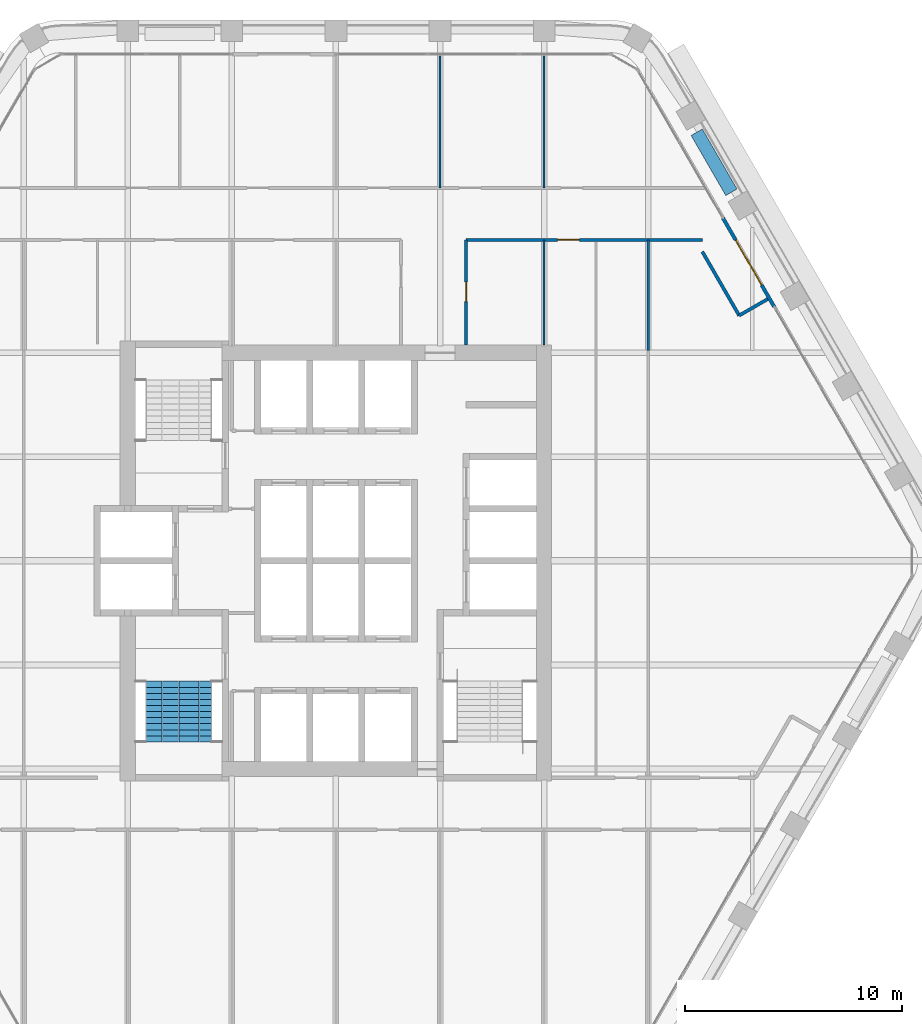
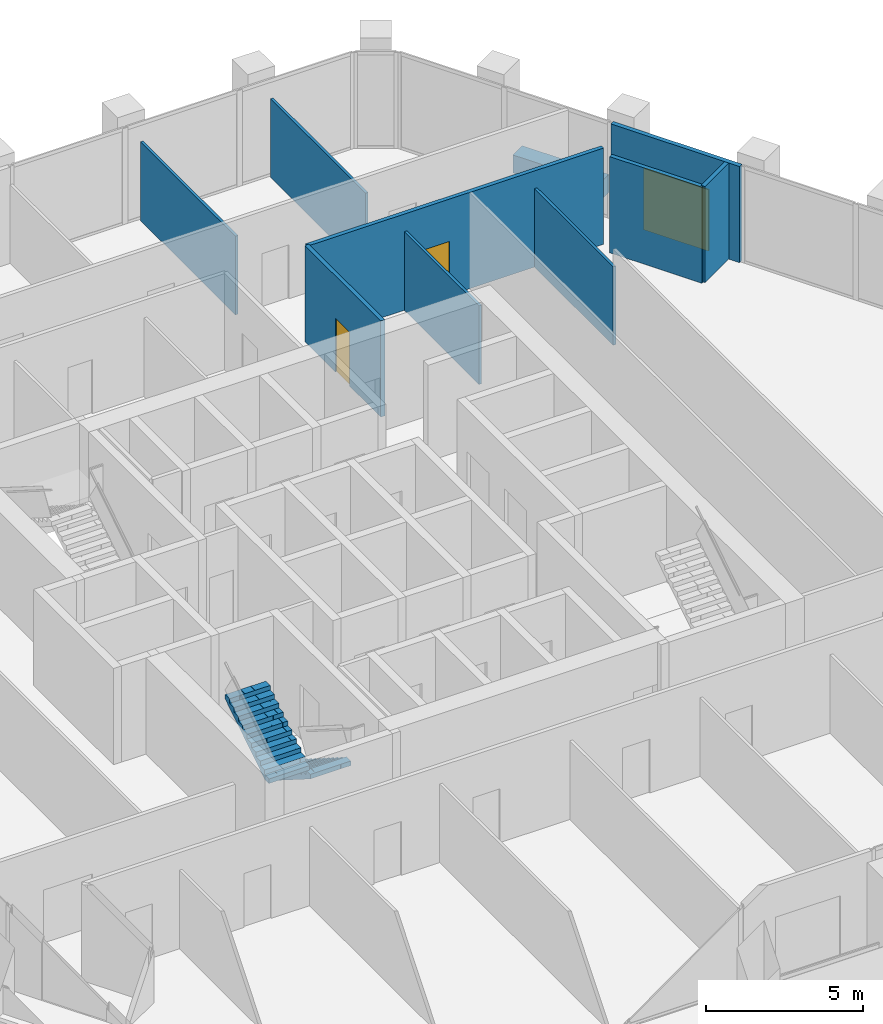
# One storey, part 12 of 15: 10 walls, 3 doors, 2 stair flights, 3 openings, 1 element without a shape of its own.
"""IFC4 building model written with IfcOpenShell, lengths in metres."""

from ifc_helpers import new_model, si_unit, direction, frame, frame_2d, origin, place, context, subcontext, project, spatial, polyline, rectangle, outline, extrude, material, layer, layer_set, type_object, element, fill, aggregate, save


model = new_model("IFC4")

# Units and contexts
model_context = context("Model", 3, precision=1e-05, world=origin(), true_north=direction((0.0, 1.0)))
body_context = subcontext(model_context, "Body", "Model", "MODEL_VIEW")
ifc_project = project(units=[si_unit("LENGTHUNIT", "METRE"), si_unit("AREAUNIT", "SQUARE_METRE"), si_unit("VOLUMEUNIT", "CUBIC_METRE"), si_unit("PLANEANGLEUNIT", "RADIAN"), si_unit("MASSUNIT", "GRAM", prefix="KILO")], contexts=[model_context])

# Site, building, storey
site_placement = place(None, origin())
site = spatial("IfcSite", under=ifc_project, at=site_placement, CompositionType="ELEMENT")
building_placement = place(site_placement, origin())
building = spatial("IfcBuilding", under=site, at=building_placement, Name="Kolab Exchange Tower", CompositionType="ELEMENT")
storey_placement = place(building_placement, frame((0.0, 0.0, 189.5)))
storey = spatial("IfcBuildingStorey", under=building, at=storey_placement, Name="L40", CompositionType="ELEMENT", Elevation=189.5)

# Wall, opening, door
ifc_material_1 = material(Name="Aluminium EN AW-6063 T6", Category="aluminium")
ifc_layer_1 = layer(ifc_material_1, 0.159912109375)
ifc_layer_set_1 = layer_set([ifc_layer_1], Name="Aluminium EN AW-6063 T6")
wall_type_1 = type_object("IfcWallType", Name="DOOR SURROUND WALL 160 ALUMINIUM FRAMED", PredefinedType="PARTITIONING", material=ifc_layer_set_1)
wall_1_placement = place(storey_placement, frame((17.8466796875, 15.811767578125, 0.0), z_axis=(0.0, 0.0, 1.0), x_axis=(0.5000167099, -0.866015756104, 0.0)))
wall_1 = element("IfcWall", 1, at=wall_1_placement, inside=storey, type_object=wall_type_1, Name="Door surround wall", PredefinedType="PARTITIONING", context=body_context, shape_type="SweptSolid", body=[
    extrude(rectangle(XDim=4.739990234375, YDim=0.159912109375, at=frame_2d((2.3701171875, 0.0))), origin(), (0.0, 0.0, 1.0), 3.75),
])
opening_1_placement = place(wall_1_placement, frame((1.169921875, 0.0, 0.0)))
opening_1 = element("IfcOpeningElement", 2, at=opening_1_placement, cuts=wall_1, Name="Opening GD1-065", PredefinedType="OPENING", context=body_context, shape_type="SweptSolid", body=[
    extrude(rectangle(XDim=2.39990234375, YDim=2.39990234375, at=frame_2d((1.199951171875, 1.199951171875))), frame((0.0, 0.08984375, 0.0), z_axis=(0.0, -1.0, 0.0), x_axis=(1.0, 0.0, 0.0)), (0.0, 0.0, 1.0), 0.179931640625),
])
door_type_1 = type_object("IfcDoorType", Name="LOGGIA SLIDING GLASS DOOR 2400 X 2400", OperationType="DOUBLE_DOOR_SINGLE_SWING", PredefinedType="DOOR", material=ifc_material_1)
door_1_placement = place(opening_1_placement, origin())
door_1 = element("IfcDoor", 3, at=door_1_placement, inside=storey, type_object=door_type_1, Name="Loggia door", OperationType="DOUBLE_DOOR_SLIDING", OverallHeight=2.39990234375, OverallWidth=2.39990234375, PredefinedType="DOOR", context=body_context, shape_type="SweptSolid", body=[
    extrude(rectangle(XDim=2.39990234375, YDim=2.39990234375, at=frame_2d((1.199951171875, 1.199951171875))), frame((0.0, 0.02490234375, 0.0), z_axis=(0.0, -1.0, 0.0), x_axis=(1.0, 0.0, 0.0)), (0.0, 0.0, 1.0), 0.050048828125),
])
fill(opening_1, door_1)

# Walls
ifc_material_2 = material(Name="Gypsum board", Category="gypsum")
ifc_layer_2 = layer(ifc_material_2, 0.10009765625)
ifc_layer_set_2 = layer_set([ifc_layer_2], Name="Gypsum board")
wall_type_2 = type_object("IfcWallType", Name="PARTITION 100", PredefinedType="PARTITIONING", material=ifc_layer_set_2)
wall_2_placement = place(storey_placement, frame((14.39990234375, 9.693603515625, 0.0), z_axis=(0.0, 0.0, 1.0), x_axis=(0.0, 1.0, 0.0)))
element("IfcWall", 4, at=wall_2_placement, inside=storey, type_object=wall_type_2, Name="Partition 001", PredefinedType="PARTITIONING", context=body_context, shape_type="SweptSolid", body=[
    extrude(rectangle(XDim=5.1064453125, YDim=0.10009765625, at=frame_2d((2.55322265625, 0.0))), origin(), (0.0, 0.0, 1.0), 3.06591796875),
])
wall_3_placement = place(storey_placement, frame((9.60009765625, 9.949951171875, 0.0), z_axis=(0.0, 0.0, 1.0), x_axis=(0.0, 1.0, 0.0)))
element("IfcWall", 5, at=wall_3_placement, inside=storey, type_object=wall_type_2, Name="Partition 004", PredefinedType="PARTITIONING", context=body_context, shape_type="SweptSolid", body=[
    extrude(rectangle(XDim=4.85009765625, YDim=0.10009765625, at=frame_2d((2.425048828125, 0.0))), origin(), (0.0, 0.0, 1.0), 3.06591796875),
])
for number, where, z_axis, x_axis, name in (
    (6, (9.60009765625, 17.199951171875, 0.0), (0.0, 0.0, 1.0), (0.0, 1.0, 0.0), "Partition 005"),
    (7, (4.800048828125, 17.199951171875, 0.0), (0.0, 0.0, 1.0), (0.0, 1.0, 0.0), "Partition 008"),
):
    element("IfcWall", number, at=place(storey_placement, frame(where, z_axis=z_axis, x_axis=x_axis)), inside=storey, type_object=wall_type_2, Name=name, PredefinedType="PARTITIONING", context=body_context, shape_type="SweptSolid", body=[
        extrude(rectangle(XDim=6.071533203125, YDim=0.10009765625, at=frame_2d((3.03564453125, 0.0))), origin(), (0.0, 0.0, 1.0), 3.06591796875),
    ])

# Wall, opening, door
ifc_layer_3 = layer(ifc_material_2, 0.14990234375)
ifc_layer_set_3 = layer_set([ifc_layer_3], Name="Gypsum board")
wall_type_3 = type_object("IfcWallType", Name="PARTITION 150 FIRE-RATED", PredefinedType="PARTITIONING", material=ifc_layer_set_3)
wall_4_placement = place(storey_placement, frame((6.0, 9.949951171875, 0.0), z_axis=(0.0, 0.0, 1.0), x_axis=(0.0, 1.0, 0.0)))
wall_4 = element("IfcWall", 8, at=wall_4_placement, inside=storey, type_object=wall_type_3, Name="Partition 006", PredefinedType="PARTITIONING", context=body_context, shape_type="SweptSolid", body=[
    extrude(rectangle(XDim=4.85009765625, YDim=0.14990234375, at=frame_2d((2.425048828125, 0.0))), origin(), (0.0, 0.0, 1.0), 3.75),
])
opening_2_placement = place(wall_4_placement, frame((2.0, 0.0, 0.0)))
opening_2 = element("IfcOpeningElement", 9, at=opening_2_placement, cuts=wall_4, Name="Opening D3-054", PredefinedType="OPENING", context=body_context, shape_type="SweptSolid", body=[
    extrude(rectangle(XDim=0.89990234375, YDim=2.10009765625, at=frame_2d((0.449951171875, 1.050048828125))), frame((0.0, 0.0849609375, 0.0), z_axis=(0.0, -1.0, 0.0), x_axis=(1.0, 0.0, 0.0)), (0.0, 0.0, 1.0), 0.169921875),
])
ifc_material_3 = material(Name="Steel S235", Category="steel")
door_type_2 = type_object("IfcDoorType", Name="FLUSH DOOR 900 FD60", OperationType="SINGLE_SWING_LEFT", PredefinedType="DOOR", material=ifc_material_3)
door_2_placement = place(opening_2_placement, frame((0.89990234375, 0.0, 0.0), z_axis=(0.0, 0.0, 1.0), x_axis=(-1.0, 0.0, 0.0)))
door_2 = element("IfcDoor", 10, at=door_2_placement, inside=storey, type_object=door_type_2, Name="Door L40-030", OperationType="SINGLE_SWING_LEFT", OverallHeight=2.10009765625, OverallWidth=0.89990234375, PredefinedType="DOOR", context=body_context, shape_type="SweptSolid", body=[
    extrude(rectangle(XDim=0.89990234375, YDim=2.10009765625, at=frame_2d((0.449951171875, 1.050048828125))), frame((0.0, 0.02490234375, 0.0), z_axis=(0.0, -1.0, 0.0), x_axis=(1.0, 0.0, 0.0)), (0.0, 0.0, 1.0), 0.050048828125),
])
fill(opening_2, door_2)

# Walls
wall_5_placement = place(storey_placement, frame((16.89599609375, 14.25830078125, 0.0), z_axis=(0.0, 0.0, 1.0), x_axis=(0.499977295307, -0.866038511948, 0.0)))
element("IfcWall", 11, at=wall_5_placement, inside=storey, type_object=wall_type_3, Name="Partition 024", PredefinedType="PARTITIONING", context=body_context, shape_type="SweptSolid", body=[
    extrude(rectangle(XDim=3.400146484375, YDim=0.14990234375, at=frame_2d((1.7001953125, 0.0))), origin(), (0.0, 0.0, 1.0), 3.75),
])
wall_6_placement = place(storey_placement, frame((18.595947265625, 11.313720703125, 0.0), z_axis=(0.0, 0.0, 1.0), x_axis=(0.866030456496, 0.499991248344, 0.0)))
element("IfcWall", 12, at=wall_6_placement, inside=storey, type_object=wall_type_3, Name="Partition 028", PredefinedType="PARTITIONING", context=body_context, shape_type="SweptSolid", body=[
    extrude(rectangle(XDim=1.52001953125, YDim=0.14990234375, at=frame_2d((0.760009765625, 0.0))), origin(), (0.0, 0.0, 1.0), 3.75),
])

# Wall, opening, door
wall_7_placement = place(storey_placement, frame((6.0, 14.800048828125, 0.0), z_axis=(0.0, 0.0, 1.0), x_axis=(1.0, 0.0, 0.0)))
wall_7 = element("IfcWall", 13, at=wall_7_placement, inside=storey, type_object=wall_type_3, Name="Partition 035", PredefinedType="PARTITIONING", context=body_context, shape_type="SweptSolid", body=[
    extrude(rectangle(XDim=10.9052734375, YDim=0.14990234375, at=frame_2d((5.45263671875, 0.0))), origin(), (0.0, 0.0, 1.0), 3.75),
])
opening_3_placement = place(wall_7_placement, frame((4.22509765625, 0.0, 0.0)))
opening_3 = element("IfcOpeningElement", 14, at=opening_3_placement, cuts=wall_7, Name="Opening D1-534", PredefinedType="OPENING", context=body_context, shape_type="SweptSolid", body=[
    extrude(rectangle(XDim=1.0, YDim=2.10009765625, at=frame_2d((0.5, 1.050048828125))), frame((0.0, 0.0849609375, 0.0), z_axis=(0.0, -1.0, 0.0), x_axis=(1.0, 0.0, 0.0)), (0.0, 0.0, 1.0), 0.169921875),
])
door_type_3 = type_object("IfcDoorType", Name="FLUSH DOOR 1000 FD60", OperationType="SINGLE_SWING_LEFT", PredefinedType="DOOR", material=ifc_material_3)
door_3_placement = place(opening_3_placement, frame((1.0, 0.0, 0.0), z_axis=(0.0, 0.0, 1.0), x_axis=(-1.0, 0.0, 0.0)))
door_3 = element("IfcDoor", 15, at=door_3_placement, inside=storey, type_object=door_type_3, Name="Door L40-048", OperationType="SINGLE_SWING_LEFT", OverallHeight=2.10009765625, OverallWidth=1.0, PredefinedType="DOOR", context=body_context, shape_type="SweptSolid", body=[
    extrude(rectangle(XDim=1.0, YDim=2.10009765625, at=frame_2d((0.5, 1.050048828125))), frame((0.0, 0.02490234375, 0.0), z_axis=(0.0, -1.0, 0.0), x_axis=(1.0, 0.0, 0.0)), (0.0, 0.0, 1.0), 0.050048828125),
])
fill(opening_3, door_3)

# Wall
ifc_material_4 = material(Name="Granite facing", Category="masonry")
ifc_layer_4 = layer(ifc_material_4, 0.0400390625)
ifc_material_5 = material(Name="Concrete C40/50 precast", Category="concrete")
ifc_layer_5 = layer(ifc_material_5, 0.56005859375)
ifc_layer_set_4 = layer_set([ifc_layer_4, ifc_layer_5], Name="Concrete C40/50 precast")
wall_type_4 = type_object("IfcWallType", Name="PLANTER BOX 600 X 700 SOIL DEPTH 550", PredefinedType="USERDEFINED", material=ifc_layer_set_4)
wall_8_placement = place(storey_placement, frame((16.636962890625, 19.766845703125, 0.0), z_axis=(0.0, 0.0, 1.0), x_axis=(0.500028443584, -0.866008981251, 0.0)))
element("IfcWall", 16, at=wall_8_placement, inside=storey, type_object=wall_type_4, Name="Planter", ObjectType="PLANTER", PredefinedType="USERDEFINED", context=body_context, shape_type="SweptSolid", body=[
    extrude(rectangle(XDim=3.199951171875, YDim=0.60009765625, at=frame_2d((1.60009765625, 0.0))), origin(), (0.0, 0.0, 1.0), 0.699951171875),
])

# Stair, stair flights
ifc_material_6 = material(Name="Concrete C50/60", Category="concrete")
stair_type = type_object("IfcStairType", Name="STAIR ST3 RISER 177.3", PredefinedType="HALF_TURN_STAIR", material=ifc_material_6)
stair_placement = place(storey_placement, origin())
stair = element("IfcStair", 17, at=stair_placement, inside=storey, type_object=stair_type, Name="Stair 3", PredefinedType="HALF_TURN_STAIR")
stair_flight_type = type_object("IfcStairFlightType", Name="STAIR FLIGHT 1500 RISER 177.3", PredefinedType="STRAIGHT", material=ifc_material_6)
stair_flight_1_placement = place(storey_placement, frame((-6.489990234375, -5.550048828125, 0.0), z_axis=(0.0, 0.0, 1.0), x_axis=(0.0, -1.0, 0.0)))
stair_flight_1 = element("IfcStairFlight", 18, at=stair_flight_1_placement, type_object=stair_flight_type, Name="ST3 flight 1", NumberOfRisers=11, NumberOfTreads=10, PredefinedType="STRAIGHT", RiserHeight=0.177272727, TreadLength=0.28, context=body_context, shape_type="SweptSolid", body=[
    extrude(outline(polyline([(0.0, 0.0), (0.0, 0.17724609375), (0.280029296875, 0.17724609375), (0.280029296875, 0.3544921875), (0.56005859375, 0.3544921875), (0.56005859375, 0.53173828125), (0.840087890625, 0.53173828125), (0.840087890625, 0.708984375), (1.1201171875, 0.708984375), (1.1201171875, 0.886474609375), (1.39990234375, 0.886474609375), (1.39990234375, 1.063720703125), (1.679931640625, 1.063720703125), (1.679931640625, 1.240966796875), (1.9599609375, 1.240966796875), (1.9599609375, 1.418212890625), (2.239990234375, 1.418212890625), (2.239990234375, 1.595458984375), (2.52001953125, 1.595458984375), (2.52001953125, 1.772705078125), (2.800048828125, 1.772705078125), (2.800048828125, 1.949951171875), (2.800048828125, 1.59521484375), (0.2802734375, 0.0), (0.0, 0.0)])), frame((0.0, 0.75, 0.0), z_axis=(0.0, -1.0, 0.0), x_axis=(1.0, 0.0, 0.0)), (0.0, 0.0, 1.0), 0.185791015625),
    extrude(outline(polyline([(0.0, 0.0), (0.0, 0.17724609375), (0.280029296875, 0.17724609375), (0.280029296875, 0.3544921875), (0.56005859375, 0.3544921875), (0.56005859375, 0.53173828125), (0.840087890625, 0.53173828125), (0.840087890625, 0.708984375), (1.1201171875, 0.708984375), (1.1201171875, 0.886474609375), (1.39990234375, 0.886474609375), (1.39990234375, 1.063720703125), (1.679931640625, 1.063720703125), (1.679931640625, 1.240966796875), (1.9599609375, 1.240966796875), (1.9599609375, 1.418212890625), (2.239990234375, 1.418212890625), (2.239990234375, 1.595458984375), (2.52001953125, 1.595458984375), (2.52001953125, 1.772705078125), (2.800048828125, 1.772705078125), (2.800048828125, 1.949951171875), (2.800048828125, 1.59521484375), (0.2802734375, 0.0), (0.0, 0.0)])), frame((0.0, 0.562255859375, 0.0), z_axis=(0.0, -1.0, 0.0), x_axis=(1.0, 0.0, 0.0)), (0.0, 0.0, 1.0), 0.185791015625),
    extrude(outline(polyline([(0.0, 0.0), (0.0, 0.17724609375), (0.280029296875, 0.17724609375), (0.280029296875, 0.3544921875), (0.56005859375, 0.3544921875), (0.56005859375, 0.53173828125), (0.840087890625, 0.53173828125), (0.840087890625, 0.708984375), (1.1201171875, 0.708984375), (1.1201171875, 0.886474609375), (1.39990234375, 0.886474609375), (1.39990234375, 1.063720703125), (1.679931640625, 1.063720703125), (1.679931640625, 1.240966796875), (1.9599609375, 1.240966796875), (1.9599609375, 1.418212890625), (2.239990234375, 1.418212890625), (2.239990234375, 1.595458984375), (2.52001953125, 1.595458984375), (2.52001953125, 1.772705078125), (2.800048828125, 1.772705078125), (2.800048828125, 1.949951171875), (2.800048828125, 1.59521484375), (0.2802734375, 0.0), (0.0, 0.0)])), frame((0.0, 0.37451171875, 0.0), z_axis=(0.0, -1.0, 0.0), x_axis=(1.0, 0.0, 0.0)), (0.0, 0.0, 1.0), 0.185791015625),
    extrude(outline(polyline([(0.0, 0.0), (0.0, 0.17724609375), (0.280029296875, 0.17724609375), (0.280029296875, 0.3544921875), (0.56005859375, 0.3544921875), (0.56005859375, 0.53173828125), (0.840087890625, 0.53173828125), (0.840087890625, 0.708984375), (1.1201171875, 0.708984375), (1.1201171875, 0.886474609375), (1.39990234375, 0.886474609375), (1.39990234375, 1.063720703125), (1.679931640625, 1.063720703125), (1.679931640625, 1.240966796875), (1.9599609375, 1.240966796875), (1.9599609375, 1.418212890625), (2.239990234375, 1.418212890625), (2.239990234375, 1.595458984375), (2.52001953125, 1.595458984375), (2.52001953125, 1.772705078125), (2.800048828125, 1.772705078125), (2.800048828125, 1.949951171875), (2.800048828125, 1.59521484375), (0.2802734375, 0.0), (0.0, 0.0)])), frame((0.0, 0.186767578125, 0.0), z_axis=(0.0, -1.0, 0.0), x_axis=(1.0, 0.0, 0.0)), (0.0, 0.0, 1.0), 0.185791015625),
    extrude(outline(polyline([(0.0, 0.0), (0.0, 0.17724609375), (0.280029296875, 0.17724609375), (0.280029296875, 0.3544921875), (0.56005859375, 0.3544921875), (0.56005859375, 0.53173828125), (0.840087890625, 0.53173828125), (0.840087890625, 0.708984375), (1.1201171875, 0.708984375), (1.1201171875, 0.886474609375), (1.39990234375, 0.886474609375), (1.39990234375, 1.063720703125), (1.679931640625, 1.063720703125), (1.679931640625, 1.240966796875), (1.9599609375, 1.240966796875), (1.9599609375, 1.418212890625), (2.239990234375, 1.418212890625), (2.239990234375, 1.595458984375), (2.52001953125, 1.595458984375), (2.52001953125, 1.772705078125), (2.800048828125, 1.772705078125), (2.800048828125, 1.949951171875), (2.800048828125, 1.59521484375), (0.2802734375, 0.0), (0.0, 0.0)])), frame((0.0, -0.0009765625, 0.0), z_axis=(0.0, -1.0, 0.0), x_axis=(1.0, 0.0, 0.0)), (0.0, 0.0, 1.0), 0.185791015625),
    extrude(outline(polyline([(0.0, 0.0), (0.0, 0.17724609375), (0.280029296875, 0.17724609375), (0.280029296875, 0.3544921875), (0.56005859375, 0.3544921875), (0.56005859375, 0.53173828125), (0.840087890625, 0.53173828125), (0.840087890625, 0.708984375), (1.1201171875, 0.708984375), (1.1201171875, 0.886474609375), (1.39990234375, 0.886474609375), (1.39990234375, 1.063720703125), (1.679931640625, 1.063720703125), (1.679931640625, 1.240966796875), (1.9599609375, 1.240966796875), (1.9599609375, 1.418212890625), (2.239990234375, 1.418212890625), (2.239990234375, 1.595458984375), (2.52001953125, 1.595458984375), (2.52001953125, 1.772705078125), (2.800048828125, 1.772705078125), (2.800048828125, 1.949951171875), (2.800048828125, 1.59521484375), (0.2802734375, 0.0), (0.0, 0.0)])), frame((0.0, -0.188720703125, 0.0), z_axis=(0.0, -1.0, 0.0), x_axis=(1.0, 0.0, 0.0)), (0.0, 0.0, 1.0), 0.185791015625),
    extrude(outline(polyline([(0.0, 0.0), (0.0, 0.17724609375), (0.280029296875, 0.17724609375), (0.280029296875, 0.3544921875), (0.56005859375, 0.3544921875), (0.56005859375, 0.53173828125), (0.840087890625, 0.53173828125), (0.840087890625, 0.708984375), (1.1201171875, 0.708984375), (1.1201171875, 0.886474609375), (1.39990234375, 0.886474609375), (1.39990234375, 1.063720703125), (1.679931640625, 1.063720703125), (1.679931640625, 1.240966796875), (1.9599609375, 1.240966796875), (1.9599609375, 1.418212890625), (2.239990234375, 1.418212890625), (2.239990234375, 1.595458984375), (2.52001953125, 1.595458984375), (2.52001953125, 1.772705078125), (2.800048828125, 1.772705078125), (2.800048828125, 1.949951171875), (2.800048828125, 1.59521484375), (0.2802734375, 0.0), (0.0, 0.0)])), frame((0.0, -0.37646484375, 0.0), z_axis=(0.0, -1.0, 0.0), x_axis=(1.0, 0.0, 0.0)), (0.0, 0.0, 1.0), 0.185791015625),
    extrude(outline(polyline([(0.0, 0.0), (0.0, 0.17724609375), (0.280029296875, 0.17724609375), (0.280029296875, 0.3544921875), (0.56005859375, 0.3544921875), (0.56005859375, 0.53173828125), (0.840087890625, 0.53173828125), (0.840087890625, 0.708984375), (1.1201171875, 0.708984375), (1.1201171875, 0.886474609375), (1.39990234375, 0.886474609375), (1.39990234375, 1.063720703125), (1.679931640625, 1.063720703125), (1.679931640625, 1.240966796875), (1.9599609375, 1.240966796875), (1.9599609375, 1.418212890625), (2.239990234375, 1.418212890625), (2.239990234375, 1.595458984375), (2.52001953125, 1.595458984375), (2.52001953125, 1.772705078125), (2.800048828125, 1.772705078125), (2.800048828125, 1.949951171875), (2.800048828125, 1.59521484375), (0.2802734375, 0.0), (0.0, 0.0)])), frame((0.0, -0.564208984375, 0.0), z_axis=(0.0, -1.0, 0.0), x_axis=(1.0, 0.0, 0.0)), (0.0, 0.0, 1.0), 0.185791015625),
])
stair_flight_2_placement = place(storey_placement, frame((-8.010009765625, -8.35009765625, 1.949951171875), z_axis=(0.0, 0.0, 1.0), x_axis=(0.0, 1.0, 0.0)))
stair_flight_2 = element("IfcStairFlight", 19, at=stair_flight_2_placement, type_object=stair_flight_type, Name="ST3 flight 2", NumberOfRisers=11, NumberOfTreads=10, PredefinedType="STRAIGHT", RiserHeight=0.177272727, TreadLength=0.28, context=body_context, shape_type="SweptSolid", body=[
    extrude(outline(polyline([(0.0, 0.0), (0.0, 0.17724609375), (0.280029296875, 0.17724609375), (0.280029296875, 0.3544921875), (0.56005859375, 0.3544921875), (0.56005859375, 0.53173828125), (0.840087890625, 0.53173828125), (0.840087890625, 0.708984375), (1.1201171875, 0.708984375), (1.1201171875, 0.886474609375), (1.39990234375, 0.886474609375), (1.39990234375, 1.063720703125), (1.679931640625, 1.063720703125), (1.679931640625, 1.240966796875), (1.9599609375, 1.240966796875), (1.9599609375, 1.418212890625), (2.239990234375, 1.418212890625), (2.239990234375, 1.595458984375), (2.52001953125, 1.595458984375), (2.52001953125, 1.772705078125), (2.800048828125, 1.772705078125), (2.800048828125, 1.949951171875), (2.800048828125, 1.59521484375), (0.2802734375, 0.0), (0.0, 0.0)])), frame((0.0, 0.75, 0.0), z_axis=(0.0, -1.0, 0.0), x_axis=(1.0, 0.0, 0.0)), (0.0, 0.0, 1.0), 0.185791015625),
    extrude(outline(polyline([(0.0, 0.0), (0.0, 0.17724609375), (0.280029296875, 0.17724609375), (0.280029296875, 0.3544921875), (0.56005859375, 0.3544921875), (0.56005859375, 0.53173828125), (0.840087890625, 0.53173828125), (0.840087890625, 0.708984375), (1.1201171875, 0.708984375), (1.1201171875, 0.886474609375), (1.39990234375, 0.886474609375), (1.39990234375, 1.063720703125), (1.679931640625, 1.063720703125), (1.679931640625, 1.240966796875), (1.9599609375, 1.240966796875), (1.9599609375, 1.418212890625), (2.239990234375, 1.418212890625), (2.239990234375, 1.595458984375), (2.52001953125, 1.595458984375), (2.52001953125, 1.772705078125), (2.800048828125, 1.772705078125), (2.800048828125, 1.949951171875), (2.800048828125, 1.59521484375), (0.2802734375, 0.0), (0.0, 0.0)])), frame((0.0, 0.562255859375, 0.0), z_axis=(0.0, -1.0, 0.0), x_axis=(1.0, 0.0, 0.0)), (0.0, 0.0, 1.0), 0.185791015625),
    extrude(outline(polyline([(0.0, 0.0), (0.0, 0.17724609375), (0.280029296875, 0.17724609375), (0.280029296875, 0.3544921875), (0.56005859375, 0.3544921875), (0.56005859375, 0.53173828125), (0.840087890625, 0.53173828125), (0.840087890625, 0.708984375), (1.1201171875, 0.708984375), (1.1201171875, 0.886474609375), (1.39990234375, 0.886474609375), (1.39990234375, 1.063720703125), (1.679931640625, 1.063720703125), (1.679931640625, 1.240966796875), (1.9599609375, 1.240966796875), (1.9599609375, 1.418212890625), (2.239990234375, 1.418212890625), (2.239990234375, 1.595458984375), (2.52001953125, 1.595458984375), (2.52001953125, 1.772705078125), (2.800048828125, 1.772705078125), (2.800048828125, 1.949951171875), (2.800048828125, 1.59521484375), (0.2802734375, 0.0), (0.0, 0.0)])), frame((0.0, 0.37451171875, 0.0), z_axis=(0.0, -1.0, 0.0), x_axis=(1.0, 0.0, 0.0)), (0.0, 0.0, 1.0), 0.185791015625),
    extrude(outline(polyline([(0.0, 0.0), (0.0, 0.17724609375), (0.280029296875, 0.17724609375), (0.280029296875, 0.3544921875), (0.56005859375, 0.3544921875), (0.56005859375, 0.53173828125), (0.840087890625, 0.53173828125), (0.840087890625, 0.708984375), (1.1201171875, 0.708984375), (1.1201171875, 0.886474609375), (1.39990234375, 0.886474609375), (1.39990234375, 1.063720703125), (1.679931640625, 1.063720703125), (1.679931640625, 1.240966796875), (1.9599609375, 1.240966796875), (1.9599609375, 1.418212890625), (2.239990234375, 1.418212890625), (2.239990234375, 1.595458984375), (2.52001953125, 1.595458984375), (2.52001953125, 1.772705078125), (2.800048828125, 1.772705078125), (2.800048828125, 1.949951171875), (2.800048828125, 1.59521484375), (0.2802734375, 0.0), (0.0, 0.0)])), frame((0.0, 0.186767578125, 0.0), z_axis=(0.0, -1.0, 0.0), x_axis=(1.0, 0.0, 0.0)), (0.0, 0.0, 1.0), 0.185791015625),
    extrude(outline(polyline([(0.0, 0.0), (0.0, 0.17724609375), (0.280029296875, 0.17724609375), (0.280029296875, 0.3544921875), (0.56005859375, 0.3544921875), (0.56005859375, 0.53173828125), (0.840087890625, 0.53173828125), (0.840087890625, 0.708984375), (1.1201171875, 0.708984375), (1.1201171875, 0.886474609375), (1.39990234375, 0.886474609375), (1.39990234375, 1.063720703125), (1.679931640625, 1.063720703125), (1.679931640625, 1.240966796875), (1.9599609375, 1.240966796875), (1.9599609375, 1.418212890625), (2.239990234375, 1.418212890625), (2.239990234375, 1.595458984375), (2.52001953125, 1.595458984375), (2.52001953125, 1.772705078125), (2.800048828125, 1.772705078125), (2.800048828125, 1.949951171875), (2.800048828125, 1.59521484375), (0.2802734375, 0.0), (0.0, 0.0)])), frame((0.0, -0.0009765625, 0.0), z_axis=(0.0, -1.0, 0.0), x_axis=(1.0, 0.0, 0.0)), (0.0, 0.0, 1.0), 0.185791015625),
    extrude(outline(polyline([(0.0, 0.0), (0.0, 0.17724609375), (0.280029296875, 0.17724609375), (0.280029296875, 0.3544921875), (0.56005859375, 0.3544921875), (0.56005859375, 0.53173828125), (0.840087890625, 0.53173828125), (0.840087890625, 0.708984375), (1.1201171875, 0.708984375), (1.1201171875, 0.886474609375), (1.39990234375, 0.886474609375), (1.39990234375, 1.063720703125), (1.679931640625, 1.063720703125), (1.679931640625, 1.240966796875), (1.9599609375, 1.240966796875), (1.9599609375, 1.418212890625), (2.239990234375, 1.418212890625), (2.239990234375, 1.595458984375), (2.52001953125, 1.595458984375), (2.52001953125, 1.772705078125), (2.800048828125, 1.772705078125), (2.800048828125, 1.949951171875), (2.800048828125, 1.59521484375), (0.2802734375, 0.0), (0.0, 0.0)])), frame((0.0, -0.188720703125, 0.0), z_axis=(0.0, -1.0, 0.0), x_axis=(1.0, 0.0, 0.0)), (0.0, 0.0, 1.0), 0.185791015625),
    extrude(outline(polyline([(0.0, 0.0), (0.0, 0.17724609375), (0.280029296875, 0.17724609375), (0.280029296875, 0.3544921875), (0.56005859375, 0.3544921875), (0.56005859375, 0.53173828125), (0.840087890625, 0.53173828125), (0.840087890625, 0.708984375), (1.1201171875, 0.708984375), (1.1201171875, 0.886474609375), (1.39990234375, 0.886474609375), (1.39990234375, 1.063720703125), (1.679931640625, 1.063720703125), (1.679931640625, 1.240966796875), (1.9599609375, 1.240966796875), (1.9599609375, 1.418212890625), (2.239990234375, 1.418212890625), (2.239990234375, 1.595458984375), (2.52001953125, 1.595458984375), (2.52001953125, 1.772705078125), (2.800048828125, 1.772705078125), (2.800048828125, 1.949951171875), (2.800048828125, 1.59521484375), (0.2802734375, 0.0), (0.0, 0.0)])), frame((0.0, -0.37646484375, 0.0), z_axis=(0.0, -1.0, 0.0), x_axis=(1.0, 0.0, 0.0)), (0.0, 0.0, 1.0), 0.185791015625),
    extrude(outline(polyline([(0.0, 0.0), (0.0, 0.17724609375), (0.280029296875, 0.17724609375), (0.280029296875, 0.3544921875), (0.56005859375, 0.3544921875), (0.56005859375, 0.53173828125), (0.840087890625, 0.53173828125), (0.840087890625, 0.708984375), (1.1201171875, 0.708984375), (1.1201171875, 0.886474609375), (1.39990234375, 0.886474609375), (1.39990234375, 1.063720703125), (1.679931640625, 1.063720703125), (1.679931640625, 1.240966796875), (1.9599609375, 1.240966796875), (1.9599609375, 1.418212890625), (2.239990234375, 1.418212890625), (2.239990234375, 1.595458984375), (2.52001953125, 1.595458984375), (2.52001953125, 1.772705078125), (2.800048828125, 1.772705078125), (2.800048828125, 1.949951171875), (2.800048828125, 1.59521484375), (0.2802734375, 0.0), (0.0, 0.0)])), frame((0.0, -0.564208984375, 0.0), z_axis=(0.0, -1.0, 0.0), x_axis=(1.0, 0.0, 0.0)), (0.0, 0.0, 1.0), 0.185791015625),
])
aggregate(stair, [stair_flight_1, stair_flight_2])

save(model, "model.ifc")
